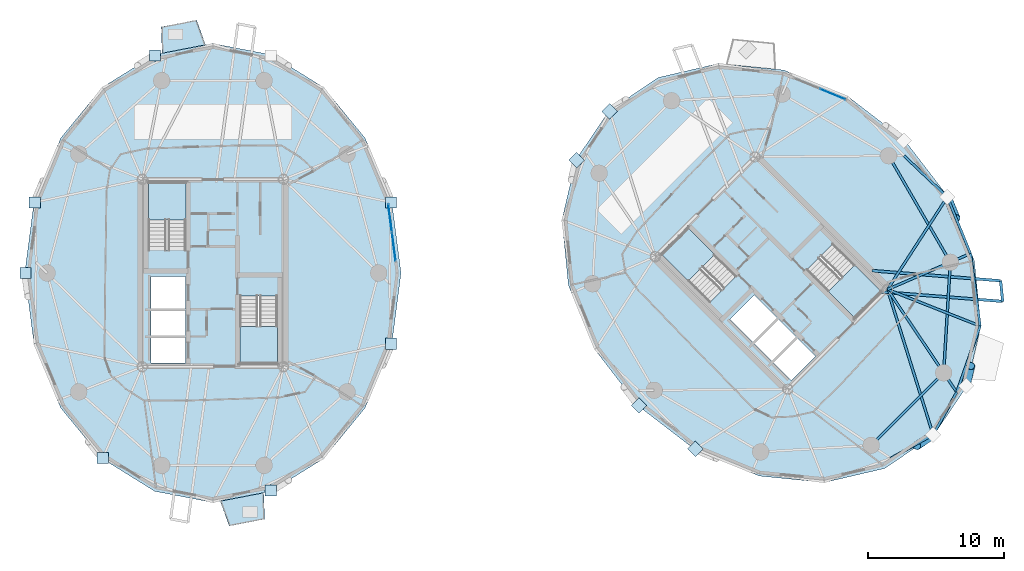
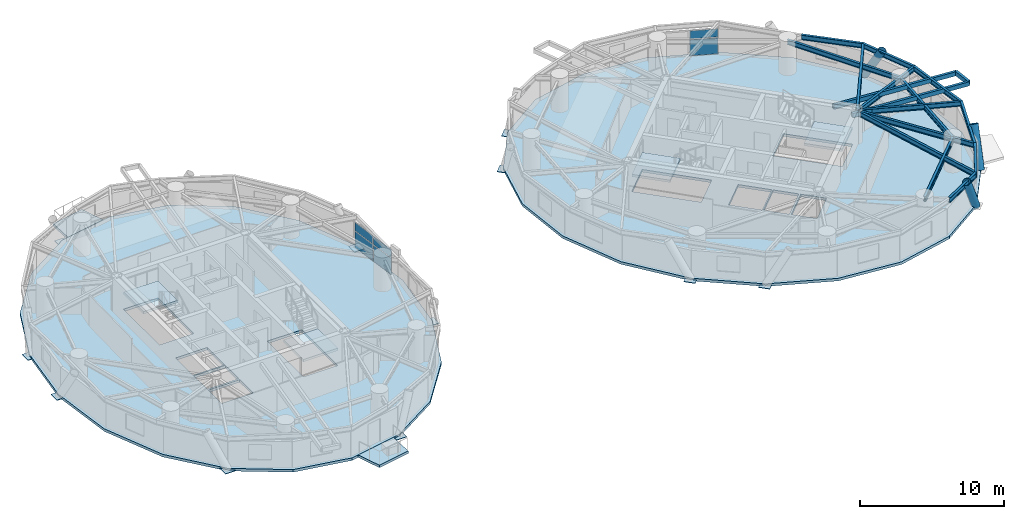
# One storey, part 8 of 17: 17 beams, 17 plates, 8 slabs, 3 members, 6 elements without a shape of their own.
"""IFC4 building model written with IfcOpenShell, lengths in metres."""

import ifcopenshell
import ifcopenshell.guid

model = None  # the IFC model being written
_history = None  # IfcOwnerHistory: only IFC2X3 demands one
_inside = {}  # id of a spatial element -> (the spatial element, [elements in it])
_under = {}  # id of a project, library or spatial element -> (it, [spatial elements below it])
_declared = {}  # id of a project -> (the project, [libraries it declares])
_typed = {}  # id of a type object -> (the type object, [elements of that type])
_made_of = {}  # id of a material, layer set ... -> (it, [elements and type objects made of it])


def new_model(schema):
    """Start an empty IFC model of exactly this schema.

    Asked for "IFC4X3", IfcOpenShell would pick the latest addendum, in which some entities
    have other attributes; the version numbers below select the first issue.
    IFC2X3 requires an IfcOwnerHistory on every rooted entity: one is made here for all.
    """
    global model, _history
    if schema == "IFC4X3":
        model = ifcopenshell.file(schema_version=(4, 3, 0, 0))
    else:
        model = ifcopenshell.file(schema=schema)
    _inside.clear()
    _under.clear()
    _declared.clear()
    _typed.clear()
    _made_of.clear()
    _history = None
    if model.schema == "IFC2X3":
        org = make("IfcOrganization", Name="unknown")
        user = make(
            "IfcPersonAndOrganization",
            ThePerson=make("IfcPerson", FamilyName="unknown"),
            TheOrganization=org,
        )
        app = make(
            "IfcApplication",
            ApplicationDeveloper=org,
            Version="unknown",
            ApplicationFullName="unknown",
            ApplicationIdentifier="unknown",
        )
        _history = make(
            "IfcOwnerHistory",
            OwningUser=user,
            OwningApplication=app,
            ChangeAction="ADDED",
            CreationDate=0,
        )
    return model


def make(cls, **values):
    """One entity of the class cls with the attributes given. An attribute that is None is left unset."""
    return model.create_entity(
        cls, **{name: value for name, value in values.items() if value is not None}
    )


def rooted(cls, **values):
    """An entity with a GlobalId (a new one), such as an element, a storey or a relation."""
    return make(cls, GlobalId=ifcopenshell.guid.new(), OwnerHistory=_history, **values)


def si_unit(unit_type, name, prefix=None):
    """IfcSIUnit, for example si_unit("LENGTHUNIT", "METRE", prefix="MILLI")."""
    return make("IfcSIUnit", UnitType=unit_type, Prefix=prefix, Name=name)


def assignment(units):
    """IfcUnitAssignment: the units of a project."""
    return None if units is None else make("IfcUnitAssignment", Units=units)


def point(xyz):
    """IfcCartesianPoint."""
    return None if xyz is None else make("IfcCartesianPoint", Coordinates=xyz)


def direction(xyz):
    """IfcDirection."""
    return None if xyz is None else make("IfcDirection", DirectionRatios=xyz)


def frame(location, z_axis=None, x_axis=None):
    """IfcAxis2Placement3D, a coordinate frame: its origin and axes. An axis left out is left unset."""
    return make(
        "IfcAxis2Placement3D",
        Location=point(location),
        Axis=direction(z_axis),
        RefDirection=direction(x_axis),
    )


def frame_2d(location, x_axis=None):
    """IfcAxis2Placement2D, a coordinate frame in the plane: its origin and x axis."""
    return make(
        "IfcAxis2Placement2D", Location=point(location), RefDirection=direction(x_axis)
    )


def origin():
    """The frame at (0, 0, 0) with its axes left unset."""
    return frame((0.0, 0.0, 0.0))


def origin_2d():
    """The frame at (0, 0) in the plane with its x axis left unset."""
    return frame_2d((0.0, 0.0))


def place(relative_to, where):
    """IfcLocalPlacement: puts the frame where relative to a parent placement (None: the world)."""
    return make(
        "IfcLocalPlacement", PlacementRelTo=relative_to, RelativePlacement=where
    )


def context(
    kind, dimensions, precision=None, world=None, true_north=None, identifier=None
):
    """IfcGeometricRepresentationContext, for example the 3D "Model" context."""
    return make(
        "IfcGeometricRepresentationContext",
        ContextIdentifier=identifier,
        ContextType=kind,
        CoordinateSpaceDimension=dimensions,
        Precision=precision,
        WorldCoordinateSystem=world,
        TrueNorth=true_north,
    )


def subcontext(parent, identifier, kind, view, scale=None):
    """IfcGeometricRepresentationSubContext, for example "Body" below "Model"."""
    return make(
        "IfcGeometricRepresentationSubContext",
        ContextIdentifier=identifier,
        ContextType=kind,
        ParentContext=parent,
        TargetScale=scale,
        TargetView=view,
    )


def project(units=None, contexts=None):
    """IfcProject with its units and contexts."""
    return rooted(
        "IfcProject",
        Name="project",
        RepresentationContexts=contexts,
        UnitsInContext=assignment(units),
    )


def spatial(cls, under=None, at=None, **own):
    """A site, building, storey or space (cls), placed at a placement, below another one or the project."""
    s = rooted(cls, ObjectPlacement=at, **own)
    if under is not None:
        _under.setdefault(under.id(), (under, []))[1].append(s)
    return s


def polyline(points):
    """IfcPolyline through the points."""
    return make("IfcPolyline", Points=[point(p) for p in points])


def profile(cls, at=None, kind="AREA", **sizes):
    """A parametric profile (cls). Its sizes go by their IFC names, for example OverallWidth=200.0."""
    return make(cls, ProfileType=kind, Position=at, **sizes)


def rectangle(**sizes):
    """IfcRectangleProfileDef."""
    return profile("IfcRectangleProfileDef", **sizes)


def hollow_rectangle(**sizes):
    """IfcRectangleHollowProfileDef."""
    return profile("IfcRectangleHollowProfileDef", **sizes)


def hollow_circle(**sizes):
    """IfcCircleHollowProfileDef."""
    return profile("IfcCircleHollowProfileDef", **sizes)


def i_section(**sizes):
    """IfcIShapeProfileDef."""
    return profile("IfcIShapeProfileDef", **sizes)


def outline(outer, holes=None, kind="AREA"):
    """IfcArbitraryClosedProfileDef: a profile drawn as a closed curve; with holes, ...WithVoids."""
    if holes is None:
        return make("IfcArbitraryClosedProfileDef", ProfileType=kind, OuterCurve=outer)
    return make(
        "IfcArbitraryProfileDefWithVoids",
        ProfileType=kind,
        OuterCurve=outer,
        InnerCurves=holes,
    )


def extrude(swept, where, along, depth):
    """IfcExtrudedAreaSolid: the profile swept, set in the frame where, extruded along a direction by depth."""
    return make(
        "IfcExtrudedAreaSolid",
        SweptArea=swept,
        Position=where,
        ExtrudedDirection=direction(along),
        Depth=depth,
    )


def shape(context_of_items, identifier, shape_type, items):
    """IfcShapeRepresentation: the items that make up one representation, for example the "Body"."""
    return make(
        "IfcShapeRepresentation",
        ContextOfItems=context_of_items,
        RepresentationIdentifier=identifier,
        RepresentationType=shape_type,
        Items=items,
    )


def source(mapping_origin, context_of_items, identifier, shape_type, items):
    """IfcRepresentationMap: a shape defined once, which mapped items show again and again."""
    return make(
        "IfcRepresentationMap",
        MappingOrigin=mapping_origin,
        MappedRepresentation=shape(context_of_items, identifier, shape_type, items),
    )


def transform(
    local_origin,
    x_axis=None,
    y_axis=None,
    z_axis=None,
    scale=None,
    scale2=None,
    scale3=None,
    uniform=True,
):
    """IfcCartesianTransformationOperator3D, or its non-uniform kind. x_axis, y_axis, z_axis: its Axis1, 2, 3."""
    if uniform:
        return make(
            "IfcCartesianTransformationOperator3D",
            Axis1=direction(x_axis),
            Axis2=direction(y_axis),
            LocalOrigin=point(local_origin),
            Scale=scale,
            Axis3=direction(z_axis),
        )
    return make(
        "IfcCartesianTransformationOperator3DnonUniform",
        Axis1=direction(x_axis),
        Axis2=direction(y_axis),
        LocalOrigin=point(local_origin),
        Scale=scale,
        Axis3=direction(z_axis),
        Scale2=scale2,
        Scale3=scale3,
    )


def mapped(mapping_source, mapping_target):
    """IfcMappedItem: shows the shape of a source again, moved by a transform."""
    return make(
        "IfcMappedItem", MappingSource=mapping_source, MappingTarget=mapping_target
    )


def material(Name=None, Category=None):
    """IfcMaterial."""
    return make("IfcMaterial", Name=Name, Category=Category)


def layer(
    of_material, thickness, ventilated=None, Name=None, Category=None, Priority=None
):
    """IfcMaterialLayer: one layer of a wall or slab, of a material (None: an air gap)."""
    return make(
        "IfcMaterialLayer",
        Material=of_material,
        LayerThickness=thickness,
        IsVentilated=ventilated,
        Name=Name,
        Category=Category,
        Priority=Priority,
    )


def layer_set(layers, Name=None):
    """IfcMaterialLayerSet."""
    return make("IfcMaterialLayerSet", MaterialLayers=layers, LayerSetName=Name)


def material_profile(
    of_material, cross_section, Name=None, Category=None, Priority=None
):
    """IfcMaterialProfile: a cross section and its material."""
    return make(
        "IfcMaterialProfile",
        Name=Name,
        Material=of_material,
        Profile=cross_section,
        Priority=Priority,
        Category=Category,
    )


def profile_set(profiles, Name=None, composite=None):
    """IfcMaterialProfileSet."""
    return make(
        "IfcMaterialProfileSet",
        Name=Name,
        MaterialProfiles=profiles,
        CompositeProfile=composite,
    )


def made_of(thing, what):
    """Note that an element or type object is made of a material, layer set ...; save() writes the relation."""
    if what is not None:
        _made_of.setdefault(what.id(), (what, []))[1].append(thing)
    return thing


def type_object(cls, material=None, **own):
    """A type object (cls), such as IfcWallType, which elements share."""
    return made_of(rooted(cls, **own), material)


def element(
    cls,
    number,
    at=None,
    inside=None,
    cuts=None,
    type_object=None,
    material=None,
    context=None,
    identifier="Body",
    shape_type=None,
    held_by="IfcProductDefinitionShape",
    body=None,
    shapes=None,
    **own,
):
    """One element of the class cls, such as IfcWall. Its Tag is "e" and its number.

    at: its placement. inside: the storey or other place that contains it. cuts: it is an
    opening in that element (IfcRelVoidsElement). A single representation is given by context,
    identifier, shape_type and body (its items); several are given by shapes. held_by: the class
    of the entity that holds the representations. save() writes the other relations.
    """
    e = rooted(cls, Tag="e%d" % number, ObjectPlacement=at, **own)
    if body is not None:
        shapes = [shape(context, identifier, shape_type, body)]
    if shapes is not None:
        e.Representation = make(held_by, Representations=shapes)
    if inside is not None:
        _inside.setdefault(inside.id(), (inside, []))[1].append(e)
    if cuts is not None:
        rooted(
            "IfcRelVoidsElement", RelatingBuildingElement=cuts, RelatedOpeningElement=e
        )
    if type_object is not None:
        _typed.setdefault(type_object.id(), (type_object, []))[1].append(e)
    return made_of(e, material)


def aggregate(whole, parts):
    """IfcRelAggregates: a whole, such as a stair, and the parts it consists of."""
    return rooted("IfcRelAggregates", RelatingObject=whole, RelatedObjects=parts)


def save(model, path):
    """Write the relations noted so far, then the file.

    IfcRelAggregates (storeys below a building ...), IfcRelContainedInSpatialStructure (elements
    in a storey), IfcRelDefinesByType, IfcRelAssociatesMaterial and IfcRelDeclares: one each for
    every whole, place, type object, material and project.
    """
    for whole, parts in _under.values():
        aggregate(whole, parts)
    for where, things in _inside.values():
        rooted(
            "IfcRelContainedInSpatialStructure",
            RelatedElements=things,
            RelatingStructure=where,
        )
    for kind, things in _typed.values():
        rooted("IfcRelDefinesByType", RelatedObjects=things, RelatingType=kind)
    for what, things in _made_of.values():
        rooted("IfcRelAssociatesMaterial", RelatedObjects=things, RelatingMaterial=what)
    for by, libraries in _declared.values():
        rooted("IfcRelDeclares", RelatingContext=by, RelatedDefinitions=libraries)
    model.write(path)


model = new_model("IFC4")

# Units and contexts
model_context = context("Model", 3, precision=1e-05, world=origin(), true_north=direction((0.0, 1.0)))
body_context = subcontext(model_context, "Body", "Model", "MODEL_VIEW")
ifc_project = project(units=[si_unit("LENGTHUNIT", "METRE"), si_unit("AREAUNIT", "SQUARE_METRE"), si_unit("VOLUMEUNIT", "CUBIC_METRE"), si_unit("PLANEANGLEUNIT", "RADIAN"), si_unit("MASSUNIT", "GRAM", prefix="KILO")], contexts=[model_context])

# Site, building, storey
site_placement = place(None, origin())
site = spatial("IfcSite", under=ifc_project, at=site_placement, CompositionType="ELEMENT")
building_placement = place(site_placement, origin())
building = spatial("IfcBuilding", under=site, at=building_placement, Name="Cununo Teusaquillo Station Towers", CompositionType="ELEMENT")
storey_placement = place(building_placement, frame((0.0, 0.0, 186.52001953125)))
storey = spatial("IfcBuildingStorey", under=building, at=storey_placement, Name="L59", CompositionType="ELEMENT", Elevation=186.52001953125)

# Beams
ifc_material_1 = material(Name="Steel EN 10025-2 S355J2", Category="steel")
ifc_material_profile_1 = material_profile(ifc_material_1, hollow_rectangle(XDim=0.199951171875, YDim=0.35009765625, WallThickness=0.013916015625, at=origin_2d()), Name="RHS 350x200x14")
ifc_profile_set_1 = profile_set([ifc_material_profile_1], Name="Steel EN 10025-2 S355J2")
beam_type_1 = type_object("IfcBeamType", Name="BM-BAL-CANT", PredefinedType="BEAM", material=ifc_profile_set_1)
beam_1_placement = place(storey_placement, frame((65.52392578125, 23.119384765625, 2.514892578125), z_axis=(0.996935259879, -0.078230988808, 0.0), x_axis=(0.078230988808, 0.996935259879, 0.0)))
element("IfcBeam", 1, at=beam_1_placement, inside=storey, type_object=beam_type_1, Name="L59 Tower B Balcony Cantilever Bracket 2A", PredefinedType="BEAM", context=body_context, shape_type="SweptSolid", body=[
    extrude(hollow_rectangle(XDim=0.199951171875, YDim=0.35009765625, WallThickness=0.013916015625, at=origin_2d()), origin(), (0.0, 0.0, 1.0), 8.978515625),
])
beam_2_placement = place(storey_placement, frame((64.895751953125, 24.670166015625, 2.514892578125), z_axis=(0.996934707517, -0.07823802751, 0.0), x_axis=(0.07823802751, 0.996934707517, 0.0)))
element("IfcBeam", 2, at=beam_2_placement, inside=storey, type_object=beam_type_1, Name="L59 Tower B Balcony Cantilever Bracket 2B", PredefinedType="BEAM", context=body_context, shape_type="SweptSolid", body=[
    extrude(hollow_rectangle(XDim=0.199951171875, YDim=0.35009765625, WallThickness=0.013916015625, at=origin_2d()), origin(), (0.0, 0.0, 1.0), 9.458251953125),
])
ifc_material_2 = material(Name="Steel ASTM A572 Grade 50", Category="steel")
ifc_material_profile_2 = material_profile(ifc_material_2, i_section(OverallWidth=0.180908203125, OverallDepth=0.4169921875, WebThickness=0.010986328125, FlangeThickness=0.018310546875, FilletRadius=0.012939453125, at=origin_2d()), Name="W16X57")
ifc_profile_set_2 = profile_set([ifc_material_profile_2], Name="Steel ASTM A572 Grade 50")
beam_type_2 = type_object("IfcBeamType", Name="BM-JOIST-1", PredefinedType="JOIST", material=ifc_profile_set_2)
beam_3_placement = place(storey_placement, frame((66.024169921875, 23.29443359375, 2.4814453125), z_axis=(0.29947962656, -0.954102695351, 0.0), x_axis=(0.954102695351, 0.29947962656, 0.0)))
element("IfcBeam", 3, at=beam_3_placement, inside=storey, type_object=beam_type_2, Name="L59 Tower B Radial Spandrel Joist V15", PredefinedType="JOIST", context=body_context, shape_type="SweptSolid", body=[
    extrude(i_section(OverallWidth=0.180908203125, OverallDepth=0.4169921875, WebThickness=0.010986328125, FlangeThickness=0.018310546875, FilletRadius=0.012939453125, at=origin_2d()), origin(), (0.0, 0.0, 1.0), 11.179931640625),
])
beam_4_placement = place(storey_placement, frame((66.024169921875, 23.29443359375, 2.4814453125), z_axis=(0.93009004426, -0.367331607091, 0.0), x_axis=(0.367331607091, 0.93009004426, 0.0)))
element("IfcBeam", 4, at=beam_4_placement, inside=storey, type_object=beam_type_2, Name="L59 Tower B Radial Spandrel Joist V17", PredefinedType="JOIST", context=body_context, shape_type="SweptSolid", body=[
    extrude(i_section(OverallWidth=0.180908203125, OverallDepth=0.4169921875, WebThickness=0.010986328125, FlangeThickness=0.018310546875, FilletRadius=0.012939453125, at=origin_2d()), origin(), (0.0, 0.0, 1.0), 7.306884765625),
])
beam_5_placement = place(storey_placement, frame((66.024169921875, 23.29443359375, 2.4814453125), z_axis=(0.543440395394, 0.839447756954, 0.0), x_axis=(-0.839447756954, 0.543440395394, 0.0)))
element("IfcBeam", 5, at=beam_5_placement, inside=storey, type_object=beam_type_2, Name="L59 Tower B Radial Spandrel Joist V19", PredefinedType="JOIST", context=body_context, shape_type="SweptSolid", body=[
    extrude(i_section(OverallWidth=0.180908203125, OverallDepth=0.4169921875, WebThickness=0.010986328125, FlangeThickness=0.018310546875, FilletRadius=0.012939453125, at=origin_2d()), origin(), (0.0, 0.0, 1.0), 8.08203125),
])
ifc_material_3 = material(Name="Steel ASTM A572 Grade 50", Category="steel")
ifc_material_profile_3 = material_profile(ifc_material_3, i_section(OverallWidth=0.180908203125, OverallDepth=0.4169921875, WebThickness=0.010986328125, FlangeThickness=0.018310546875, FilletRadius=0.012939453125, at=origin_2d()), Name="W16X57")
ifc_profile_set_3 = profile_set([ifc_material_profile_3], Name="Steel ASTM A572 Grade 50")
beam_type_3 = type_object("IfcBeamType", Name="BM-RAD-G2", PredefinedType="BEAM", material=ifc_profile_set_3)
beam_6_placement = place(storey_placement, frame((66.024169921875, 23.29443359375, 2.4814453125), z_axis=(0.558570989907, -0.829456719326, 0.0), x_axis=(0.829456719326, 0.558570989907, 0.0)))
element("IfcBeam", 6, at=beam_6_placement, inside=storey, type_object=beam_type_3, Name="L59 Tower B Continuous Overhanging Radial Girder 09", PredefinedType="BEAM", context=body_context, shape_type="SweptSolid", body=[
    extrude(i_section(OverallWidth=0.180908203125, OverallDepth=0.4169921875, WebThickness=0.010986328125, FlangeThickness=0.018310546875, FilletRadius=0.012939453125, at=origin_2d()), origin(), (0.0, 0.0, 1.0), 9.097412109375),
])
beam_7_placement = place(storey_placement, frame((66.024169921875, 23.29443359375, 2.4814453125), z_axis=(0.917664823247, 0.397355347486, 0.0), x_axis=(-0.397355347486, 0.917664823247, 0.0)))
element("IfcBeam", 7, at=beam_7_placement, inside=storey, type_object=beam_type_3, Name="L59 Tower B Continuous Overhanging Radial Girder 10", PredefinedType="BEAM", context=body_context, shape_type="SweptSolid", body=[
    extrude(i_section(OverallWidth=0.180908203125, OverallDepth=0.4169921875, WebThickness=0.010986328125, FlangeThickness=0.018310546875, FilletRadius=0.012939453125, at=origin_2d()), origin(), (0.0, 0.0, 1.0), 6.632080078125),
])
ifc_material_4 = material(Name="Steel ASTM A572 Grade 50", Category="steel")
ifc_material_profile_4 = material_profile(ifc_material_4, i_section(OverallWidth=0.180908203125, OverallDepth=0.4169921875, WebThickness=0.010986328125, FlangeThickness=0.018310546875, FilletRadius=0.012939453125, at=origin_2d()), Name="W16X57")
ifc_profile_set_4 = profile_set([ifc_material_profile_4], Name="Steel ASTM A572 Grade 50")
beam_type_4 = type_object("IfcBeamType", Name="BM-RING-Z3", PredefinedType="SPANDREL", material=ifc_profile_set_4)
beam_8_placement = place(storey_placement, frame((64.826904296875, 11.853759765625, 2.4814453125), z_axis=(0.707106781187, 0.707106781187, 0.0), x_axis=(-0.707106781187, 0.707106781187, 0.0)))
element("IfcBeam", 8, at=beam_8_placement, inside=storey, type_object=beam_type_4, Name="L59 Tower B Structural Column Ring Girder 08", PredefinedType="SPANDREL", context=body_context, shape_type="SweptSolid", body=[
    extrude(i_section(OverallWidth=0.180908203125, OverallDepth=0.4169921875, WebThickness=0.010986328125, FlangeThickness=0.018310546875, FilletRadius=0.012939453125, at=origin_2d()), origin(), (0.0, 0.0, 1.0), 7.522705078125),
])
beam_9_placement = place(storey_placement, frame((70.146240234375, 17.173095703125, 2.4814453125), z_axis=(0.06012979176, 0.998190567048, 0.0), x_axis=(-0.998190567048, 0.06012979176, 0.0)))
element("IfcBeam", 9, at=beam_9_placement, inside=storey, type_object=beam_type_4, Name="L59 Tower B Structural Column Ring Girder 09", PredefinedType="SPANDREL", context=body_context, shape_type="SweptSolid", body=[
    extrude(i_section(OverallWidth=0.180908203125, OverallDepth=0.4169921875, WebThickness=0.010986328125, FlangeThickness=0.018310546875, FilletRadius=0.012939453125, at=origin_2d()), origin(), (0.0, 0.0, 1.0), 8.132568359375),
])
beam_10_placement = place(storey_placement, frame((70.63525390625, 25.291015625, 2.4814453125), z_axis=(-0.501311121078, 0.865267103202, 0.0), x_axis=(-0.865267103202, -0.501311121078, 0.0)))
element("IfcBeam", 10, at=beam_10_placement, inside=storey, type_object=beam_type_4, Name="L59 Tower B Structural Column Ring Girder 10", PredefinedType="SPANDREL", context=body_context, shape_type="SweptSolid", body=[
    extrude(i_section(OverallWidth=0.180908203125, OverallDepth=0.4169921875, WebThickness=0.010986328125, FlangeThickness=0.018310546875, FilletRadius=0.012939453125, at=origin_2d()), origin(), (0.0, 0.0, 1.0), 9.032958984375),
])
for number, where, z_axis, x_axis, name in (
    (11, (66.25146484375, 10.894287109375, 2.4814453125), (0.874205659621, 0.485555830659, 0.0), (-0.485555830659, 0.874205659621, 0.0), "L59 Tower B Spandrel Ring Beam 15"),
    (12, (69.372314453125, 12.627685546875, 2.4814453125), (0.485555830659, 0.874205659621, 0.0), (-0.874205659621, 0.485555830659, 0.0), "L59 Tower B Spandrel Ring Beam 16"),
):
    element("IfcBeam", number, at=place(storey_placement, frame(where, z_axis=z_axis, x_axis=x_axis)), inside=storey, type_object=beam_type_4, Name=name, PredefinedType="SPANDREL", context=body_context, shape_type="SweptSolid", body=[
        extrude(i_section(OverallWidth=0.180908203125, OverallDepth=0.4169921875, WebThickness=0.010986328125, FlangeThickness=0.018310546875, FilletRadius=0.012939453125, at=origin_2d()), origin(), (0.0, 0.0, 1.0), 3.56982421875),
    ])
beam_11_placement = place(storey_placement, frame((71.105712890625, 15.74853515625, 2.4814453125), z_axis=(0.332589733158, 0.943071614141, 0.0), x_axis=(-0.943071614141, 0.332589733158, 0.0)))
element("IfcBeam", 13, at=beam_11_placement, inside=storey, type_object=beam_type_4, Name="L59 Tower B Spandrel Ring Beam 17", PredefinedType="SPANDREL", context=body_context, shape_type="SweptSolid", body=[
    extrude(i_section(OverallWidth=0.180908203125, OverallDepth=0.4169921875, WebThickness=0.010986328125, FlangeThickness=0.018310546875, FilletRadius=0.012939453125, at=origin_2d()), origin(), (0.0, 0.0, 1.0), 5.1552734375),
])
beam_12_placement = place(storey_placement, frame((72.8203125, 20.6103515625, 2.4814453125), z_axis=(-0.132339532096, 0.991204443213, 0.0), x_axis=(-0.991204443213, -0.132339532096, 0.0)))
element("IfcBeam", 14, at=beam_12_placement, inside=storey, type_object=beam_type_4, Name="L59 Tower B Spandrel Ring Beam 18", PredefinedType="SPANDREL", context=body_context, shape_type="SweptSolid", body=[
    extrude(i_section(OverallWidth=0.180908203125, OverallDepth=0.4169921875, WebThickness=0.010986328125, FlangeThickness=0.018310546875, FilletRadius=0.012939453125, at=origin_2d()), origin(), (0.0, 0.0, 1.0), 5.366455078125),
])
beam_13_placement = place(storey_placement, frame((72.110107421875, 25.9296875, 2.4814453125), z_axis=(-0.377956082264, 0.925823525235, 0.0), x_axis=(-0.925823525235, -0.377956082264, 0.0)))
element("IfcBeam", 15, at=beam_13_placement, inside=storey, type_object=beam_type_4, Name="L59 Tower B Spandrel Ring Beam 19", PredefinedType="SPANDREL", context=body_context, shape_type="SweptSolid", body=[
    extrude(i_section(OverallWidth=0.180908203125, OverallDepth=0.4169921875, WebThickness=0.010986328125, FlangeThickness=0.018310546875, FilletRadius=0.012939453125, at=origin_2d()), origin(), (0.0, 0.0, 1.0), 4.481689453125),
])
beam_14_placement = place(storey_placement, frame((70.416259765625, 30.078857421875, 2.4814453125), z_axis=(-0.723501643849, 0.690322657421, 0.0), x_axis=(-0.690322657421, -0.723501643849, 0.0)))
element("IfcBeam", 16, at=beam_14_placement, inside=storey, type_object=beam_type_4, Name="L59 Tower B Spandrel Ring Beam 20", PredefinedType="SPANDREL", context=body_context, shape_type="SweptSolid", body=[
    extrude(i_section(OverallWidth=0.180908203125, OverallDepth=0.4169921875, WebThickness=0.010986328125, FlangeThickness=0.018310546875, FilletRadius=0.012939453125, at=origin_2d()), origin(), (0.0, 0.0, 1.0), 4.400146484375),
])
ifc_material_5 = material(Name="Steel EN 10025-2 S355J2", Category="steel")
ifc_material_profile_5 = material_profile(ifc_material_5, hollow_rectangle(XDim=0.199951171875, YDim=0.35009765625, WallThickness=0.013916015625, at=origin_2d()), Name="RHS 350x200x14")
ifc_profile_set_5 = profile_set([ifc_material_profile_5], Name="Steel EN 10025-2 S355J2")
beam_type_5 = type_object("IfcBeamType", Name="BM-STAIR-TRIM", PredefinedType="BEAM", material=ifc_profile_set_5)
beam_15_placement = place(storey_placement, frame((74.474853515625, 22.4169921875, 2.52490234375), z_axis=(-0.098581668887, 0.995128963783, 0.0), x_axis=(-0.995128963783, -0.098581668887, 0.0)))
element("IfcBeam", 17, at=beam_15_placement, inside=storey, type_object=beam_type_5, Name="L59 Tower B Balcony Edge Trimmer Beam 2", PredefinedType="BEAM", context=body_context, shape_type="SweptSolid", body=[
    extrude(hollow_rectangle(XDim=0.199951171875, YDim=0.35009765625, WallThickness=0.013916015625, at=origin_2d()), origin(), (0.0, 0.0, 1.0), 1.5205078125),
])

# Members
ifc_material_6 = material(Name="Steel EN 10025-2 S355J2", Category="steel")
ifc_material_profile_6 = material_profile(ifc_material_6, hollow_circle(Radius=0.304931640625, WallThickness=0.02001953125, at=origin_2d()), Name="CHS 610x20")
ifc_profile_set_6 = profile_set([ifc_material_profile_6], Name="Steel EN 10025-2 S355J2")
member_type = type_object("IfcMemberType", Name="MBR-DIAG-Z3", PredefinedType="BRACE", material=ifc_profile_set_6)
member_1_placement = place(storey_placement, frame((69.372314453125, 12.627685546875, -0.14013671875), z_axis=(-0.367998933543, -0.248714965501, 0.895945115979), x_axis=(0.559961028799, -0.828518947416, 0.0)))
element("IfcMember", 18, at=member_1_placement, inside=storey, type_object=member_type, Name="L59 Tower B Folded-Zigzag Diagrid Tube C14", PredefinedType="BRACE", context=body_context, shape_type="SweptSolid", body=[
    extrude(hollow_circle(Radius=0.304931640625, WallThickness=0.02001953125, at=origin_2d()), origin(), (0.0, 0.0, 1.0), 3.248046875),
])
member_2_placement = place(storey_placement, frame((71.7958984375, 16.21337890625, -0.14013671875), z_axis=(0.104175068617, 0.447401367651, 0.888245220253), x_axis=(-0.973946400459, 0.226778325756, 0.0)))
element("IfcMember", 19, at=member_2_placement, inside=storey, type_object=member_type, Name="L59 Tower B Folded-Zigzag Diagrid Tube C16", PredefinedType="BRACE", context=body_context, shape_type="SweptSolid", body=[
    extrude(hollow_circle(Radius=0.304931640625, WallThickness=0.02001953125, at=origin_2d()), origin(), (0.0, 0.0, 1.0), 3.2763671875),
])
member_3_placement = place(storey_placement, frame((70.416259765625, 30.078857421875, -0.14013671875), z_axis=(0.190996227853, -0.464614826965, 0.864669592104), x_axis=(0.924899245818, 0.380212289499, 0.0)))
element("IfcMember", 20, at=member_3_placement, inside=storey, type_object=member_type, Name="L59 Tower B Folded-Zigzag Diagrid Tube C18", PredefinedType="BRACE", context=body_context, shape_type="SweptSolid", body=[
    extrude(hollow_circle(Radius=0.304931640625, WallThickness=0.02001953125, at=origin_2d()), origin(), (0.0, 0.0, 1.0), 3.36572265625),
])

# Slabs
ifc_material_7 = material(Name="Concrete C50/60", Category="concrete")
ifc_layer_1 = layer(ifc_material_7, 0.2099609375)
ifc_layer_set_1 = layer_set([ifc_layer_1], Name="Concrete C50/60")
slab_type_1 = type_object("IfcSlabType", Name="SLB-BAL-210", PredefinedType="FLOOR", material=ifc_layer_set_1)
slab_1_placement = place(storey_placement, frame((0.0, 0.0, -0.2099609375)))
element("IfcSlab", 21, at=slab_1_placement, inside=storey, type_object=slab_type_1, Name="L59 Tower A Tree Balcony Slab 1", PredefinedType="FLOOR", context=body_context, shape_type="SweptSolid", body=[
    extrude(outline(polyline([(15.958984375, 41.25048828125), (12.771240234375, 40.634521484375), (12.702392578125, 42.57177734375), (15.30126953125, 43.073974609375), (15.958984375, 41.25048828125)])), origin(), (0.0, 0.0, 1.0), 0.2099609375),
])
slab_2_placement = place(storey_placement, frame((0.0, 0.0, -0.2099609375)))
element("IfcSlab", 22, at=slab_2_placement, inside=storey, type_object=slab_type_1, Name="L59 Tower A Tree Balcony Slab 2", PredefinedType="FLOOR", context=body_context, shape_type="SweptSolid", body=[
    extrude(outline(polyline([(17.041015625, 7.74951171875), (20.228759765625, 8.365478515625), (20.297607421875, 6.42822265625), (17.69873046875, 5.926025390625), (17.041015625, 7.74951171875)])), origin(), (0.0, 0.0, 1.0), 0.2099609375),
])

# Stair, slab
ifc_material_8 = material(Name="Concrete C50/60", Category="concrete")
stair_type = type_object("IfcStairType", Name="ST-TWR-1300", PredefinedType="HALF_TURN_STAIR", material=ifc_material_8)
stair_1_placement = place(storey_placement, origin())
stair_1 = element("IfcStair", 23, at=stair_1_placement, inside=storey, type_object=stair_type, Name="L59 Tower A Protected Core Exit Stair 1", PredefinedType="HALF_TURN_STAIR")
ifc_material_9 = material(Name="Concrete C50/60", Category="concrete")
ifc_layer_2 = layer(ifc_material_9, 0.199951171875)
ifc_layer_set_2 = layer_set([ifc_layer_2], Name="Concrete C50/60")
slab_type_2 = type_object("IfcSlabType", Name="SLB-STAIR-LND", PredefinedType="LANDING", material=ifc_layer_set_2)
slab_3_placement = place(storey_placement, frame((0.0, 0.0, 1.2548828125)))
slab_3 = element("IfcSlab", 24, at=slab_3_placement, type_object=slab_type_2, Name="ST-T1-1 landing 1", PredefinedType="LANDING", context=body_context, shape_type="SweptSolid", body=[
    extrude(outline(polyline([(14.52001953125, 28.409912109375), (14.52001953125, 31.159912109375), (11.760009765625, 31.159912109375), (11.760009765625, 28.409912109375), (14.52001953125, 28.409912109375)])), origin(), (0.0, 0.0, 1.0), 0.2001953125),
])
aggregate(stair_1, [slab_3])

stair_2_placement = place(storey_placement, origin())
stair_2 = element("IfcStair", 25, at=stair_2_placement, inside=storey, type_object=stair_type, Name="L59 Tower A Protected Core Exit Stair 2", PredefinedType="HALF_TURN_STAIR")
slab_4_placement = place(storey_placement, frame((0.0, 0.0, 1.2548828125)))
slab_4 = element("IfcSlab", 26, at=slab_4_placement, type_object=slab_type_2, Name="ST-T1-2 landing 1", PredefinedType="LANDING", context=body_context, shape_type="SweptSolid", body=[
    extrude(outline(polyline([(18.47998046875, 20.590087890625), (18.47998046875, 17.840087890625), (21.239990234375, 17.840087890625), (21.239990234375, 20.590087890625), (18.47998046875, 20.590087890625)])), origin(), (0.0, 0.0, 1.0), 0.2001953125),
])
aggregate(stair_2, [slab_4])

stair_3_placement = place(storey_placement, origin())
stair_3 = element("IfcStair", 27, at=stair_3_placement, inside=storey, type_object=stair_type, Name="L59 Tower B Protected Core Exit Stair 1", PredefinedType="HALF_TURN_STAIR")
slab_5_placement = place(storey_placement, frame((0.0, 0.0, 1.2548828125)))
slab_5 = element("IfcSlab", 28, at=slab_5_placement, type_object=slab_type_2, Name="ST-T2-1 landing 1", PredefinedType="LANDING", context=body_context, shape_type="SweptSolid", body=[
    extrude(outline(polyline([(53.335205078125, 25.86474609375), (51.390625, 27.809326171875), (49.43896484375, 25.857666015625), (51.383544921875, 23.9130859375), (53.335205078125, 25.86474609375)])), origin(), (0.0, 0.0, 1.0), 0.2001953125),
])
aggregate(stair_3, [slab_5])

stair_4_placement = place(storey_placement, origin())
stair_4 = element("IfcStair", 29, at=stair_4_placement, inside=storey, type_object=stair_type, Name="L59 Tower B Protected Core Exit Stair 2", PredefinedType="HALF_TURN_STAIR")
slab_6_placement = place(storey_placement, frame((0.0, 0.0, 1.2548828125)))
slab_6 = element("IfcSlab", 30, at=slab_6_placement, type_object=slab_type_2, Name="ST-T2-2 landing 1", PredefinedType="LANDING", context=body_context, shape_type="SweptSolid", body=[
    extrude(outline(polyline([(61.664794921875, 23.13525390625), (63.609375, 21.190673828125), (65.56103515625, 23.142333984375), (63.616455078125, 25.0869140625), (61.664794921875, 23.13525390625)])), origin(), (0.0, 0.0, 1.0), 0.2001953125),
])
aggregate(stair_4, [slab_6])

# Slabs
ifc_material_10 = material(Name="Concrete C40/50", Category="concrete")
ifc_layer_3 = layer(ifc_material_10, 0.219970703125)
ifc_layer_set_3 = layer_set([ifc_layer_3], Name="Concrete C40/50")
slab_type_3 = type_object("IfcSlabType", Name="SLB-Z3-220", PredefinedType="FLOOR", material=ifc_layer_set_3)
slab_7_placement = place(storey_placement, frame((0.0, 0.0, -0.219970703125)))
element("IfcSlab", 31, at=slab_7_placement, inside=storey, type_object=slab_type_3, Name="L59 Tower A Floor Slab", PredefinedType="FLOOR", context=body_context, shape_type="SweptSolid", body=[
    extrude(outline(polyline([(30.31103515625, 24.5), (29.635009765625, 29.706787109375), (27.67333984375, 34.404296875), (24.617919921875, 38.1318359375), (20.767822265625, 40.525390625), (16.5, 41.35009765625), (12.232177734375, 40.525390625), (8.382080078125, 38.1318359375), (5.32666015625, 34.404296875), (3.364990234375, 29.706787109375), (2.68896484375, 24.5), (3.364990234375, 19.293212890625), (5.32666015625, 14.595703125), (8.382080078125, 10.8681640625), (12.232177734375, 8.474609375), (16.5, 7.64990234375), (20.767822265625, 8.474609375), (24.617919921875, 10.8681640625), (27.67333984375, 14.595703125), (29.635009765625, 19.293212890625), (30.31103515625, 24.5)]), holes=[polyline([(14.52001953125, 26.176025390625), (14.52001953125, 31.159912109375), (11.760009765625, 31.159912109375), (11.760009765625, 26.176025390625), (14.52001953125, 26.176025390625)]), polyline([(18.47998046875, 22.823974609375), (18.47998046875, 17.840087890625), (21.239990234375, 17.840087890625), (21.239990234375, 22.823974609375), (18.47998046875, 22.823974609375)]), polyline([(11.949951171875, 21.85009765625), (14.47998046875, 21.85009765625), (14.47998046875, 24.25), (11.949951171875, 24.25), (11.949951171875, 21.85009765625)]), polyline([(11.949951171875, 17.89990234375), (14.47998046875, 17.89990234375), (14.47998046875, 19.75), (11.949951171875, 19.75), (11.949951171875, 17.89990234375)]), polyline([(11.949951171875, 19.89990234375), (14.47998046875, 19.89990234375), (14.47998046875, 21.75), (11.949951171875, 21.75), (11.949951171875, 19.89990234375)])]), origin(), (0.0, 0.0, 1.0), 0.219970703125),
])
slab_8_placement = place(storey_placement, frame((0.0, 0.0, -0.219970703125)))
element("IfcSlab", 32, at=slab_8_placement, inside=storey, type_object=slab_type_3, Name="L59 Tower B Floor Slab", PredefinedType="FLOOR", context=body_context, shape_type="SweptSolid", body=[
    extrude(outline(polyline([(67.265869140625, 34.265869140625), (63.10595703125, 37.4697265625), (58.3974609375, 39.404052734375), (53.60107421875, 39.87939453125), (49.186279296875, 38.849365234375), (45.585205078125, 36.414794921875), (43.150634765625, 32.813720703125), (42.12060546875, 28.39892578125), (42.595947265625, 23.6025390625), (44.5302734375, 18.89404296875), (47.734130859375, 14.734130859375), (51.89404296875, 11.5302734375), (56.6025390625, 9.595947265625), (61.39892578125, 9.12060546875), (65.813720703125, 10.150634765625), (69.414794921875, 12.585205078125), (71.849365234375, 16.186279296875), (72.87939453125, 20.60107421875), (72.404052734375, 25.3974609375), (70.4697265625, 30.10595703125), (67.265869140625, 34.265869140625)]), holes=[polyline([(54.914794921875, 24.28515625), (51.390625, 27.809326171875), (49.43896484375, 25.857666015625), (52.963134765625, 22.33349609375), (54.914794921875, 24.28515625)]), polyline([(60.085205078125, 24.71484375), (63.609375, 21.190673828125), (65.56103515625, 23.142333984375), (62.036865234375, 26.66650390625), (60.085205078125, 24.71484375)]), polyline([(56.156494140625, 19.40869140625), (57.945556640625, 21.19775390625), (56.248291015625, 22.89501953125), (54.45947265625, 21.10595703125), (56.156494140625, 19.40869140625)]), polyline([(58.94970703125, 16.61572265625), (60.738525390625, 18.40478515625), (59.430419921875, 19.712890625), (57.641357421875, 17.923828125), (58.94970703125, 16.61572265625)]), polyline([(57.535400390625, 18.030029296875), (59.32421875, 19.819091796875), (58.01611328125, 21.127197265625), (56.227294921875, 19.338134765625), (57.535400390625, 18.030029296875)])]), origin(), (0.0, 0.0, 1.0), 0.219970703125),
])

# Plates
ifc_material_11 = material(Name="Steel ASTM A572 Grade 50", Category="steel")
ifc_layer_4 = layer(ifc_material_11, 0.044921875)
ifc_layer_set_4 = layer_set([ifc_layer_4], Name="Steel ASTM A572 Grade 50")
plate_type_1 = type_object("IfcPlateType", Name="PLT-NODE-DN2", PredefinedType="USERDEFINED", material=ifc_layer_set_4)
shared_shape_1 = source(origin(), body_context, "Body", "SweptSolid", [
    extrude(rectangle(XDim=0.820068359375, YDim=0.820068359375, at=origin_2d()), origin(), (0.0, 0.0, 1.0), 0.044921875),
])
for number, where, z_axis, x_axis, name in (
    (33, (29.577880859375, 29.6884765625, -0.16259765625), (0.0, 0.0, 1.0), (1.0, 0.0, 0.0), "L59 Tower A Diagrid Node Assembly C01"),
    (34, (12.250732421875, 40.46826171875, -0.16259765625), (0.0, 0.0, 1.0), (1.0, 0.0, 0.0), "L59 Tower A Diagrid Node Assembly C06"),
    (35, (3.422119140625, 29.6884765625, -0.16259765625), (0.0, 0.0, 1.0), (1.0, 0.0, 0.0), "L59 Tower A Diagrid Node Assembly C08"),
    (36, (2.7490234375, 24.5, -0.16259765625), (0.0, 0.0, 1.0), (1.0, 0.0, 0.0), "L59 Tower A Diagrid Node Assembly C10"),
    (37, (8.41748046875, 10.91650390625, -0.16259765625), (0.0, 0.0, 1.0), (1.0, 0.0, 0.0), "L59 Tower A Diagrid Node Assembly C12"),
    (38, (20.749267578125, 8.53173828125, -0.16259765625), (0.0, 0.0, 1.0), (1.0, 0.0, 0.0), "L59 Tower A Diagrid Node Assembly C16"),
    (39, (29.577880859375, 19.3115234375, -0.16259765625), (0.0, 0.0, 1.0), (1.0, 0.0, 0.0), "L59 Tower A Diagrid Node Assembly C18"),
    (40, (45.627685546875, 36.372314453125, -0.16259765625), (0.0, 0.0, 1.0), (0.707106781187, 0.707106781187, 0.0), "L59 Tower B Diagrid Node Assembly C04"),
    (41, (43.2041015625, 32.78662109375, -0.16259765625), (0.0, 0.0, 1.0), (0.707106781187, 0.707106781187, 0.0), "L59 Tower B Diagrid Node Assembly C06"),
    (42, (47.776611328125, 14.776611328125, -0.16259765625), (0.0, 0.0, 1.0), (0.707106781187, 0.707106781187, 0.0), "L59 Tower B Diagrid Node Assembly C09"),
    (43, (51.921142578125, 11.583740234375, -0.16259765625), (0.0, 0.0, 1.0), (0.707106781187, 0.707106781187, 0.0), "L59 Tower B Diagrid Node Assembly C11"),
):
    element("IfcPlate", number, at=place(storey_placement, frame(where, z_axis=z_axis, x_axis=x_axis)), inside=storey, type_object=plate_type_1, Name=name, ObjectType="GUSSET PLATE", PredefinedType="USERDEFINED", context=body_context, shape_type="MappedRepresentation", body=[
        mapped(shared_shape_1, transform((0.0, 0.0, 0.0), x_axis=(1.0, 0.0, 0.0), y_axis=(0.0, 1.0, 0.0), z_axis=(0.0, 0.0, 1.0), scale=1.0)),
    ])

# Curtain wall, plates
ifc_material_12 = material(Name="Operable acoustic tinted low-E double glazing", Category="glass")
ifc_layer_5 = layer(ifc_material_12, 0.179931640625)
ifc_layer_set_5 = layer_set([ifc_layer_5], Name="Operable acoustic tinted low-E double glazing")
curtain_wall_type = type_object("IfcCurtainWallType", Name="CW-SYS-06", PredefinedType="USERDEFINED", material=ifc_layer_set_5)
curtain_wall_1_placement = place(storey_placement, origin())
curtain_wall_1 = element("IfcCurtainWall", 44, at=curtain_wall_1_placement, inside=storey, type_object=curtain_wall_type, Name="L59 Tower A Facade Curtain Wall C00", ObjectType="OPERABLE GLAZING", PredefinedType="USERDEFINED")
ifc_material_13 = material(Name="Operable acoustic tinted low-E double glazing", Category="glass")
ifc_layer_6 = layer(ifc_material_13, 0.031982421875)
ifc_layer_set_6 = layer_set([ifc_layer_6], Name="Operable acoustic tinted low-E double glazing")
plate_type_2 = type_object("IfcPlateType", Name="CWP-OPER-32", PredefinedType="CURTAIN_PANEL", material=ifc_layer_set_6)
shared_shape_2 = source(origin(), body_context, "Body", "SweptSolid", [
    extrude(rectangle(XDim=2.05908203125, YDim=0.031982421875, at=origin_2d()), origin(), (0.0, 0.0, 1.0), 1.361572265625),
])
plate_1_placement = place(storey_placement, frame((29.509033203125, 28.534912109375, 0.06494140625), z_axis=(0.0, 0.0, 1.0), x_axis=(0.128285462927, -0.991737283761, 0.0)))
plate_1 = element("IfcPlate", 45, at=plate_1_placement, type_object=plate_type_2, Name="CW-06 panel 1.1", PredefinedType="CURTAIN_PANEL", context=body_context, shape_type="MappedRepresentation", body=[
    mapped(shared_shape_2, transform((0.0, 0.0, 0.0), x_axis=(1.0, 0.0, 0.0), y_axis=(0.0, 1.0, 0.0), z_axis=(0.0, 0.0, 1.0), scale=1.0)),
])
plate_2_placement = place(storey_placement, frame((29.781494140625, 26.428466796875, 0.06494140625), z_axis=(0.0, 0.0, 1.0), x_axis=(0.128285462927, -0.991737283761, 0.0)))
plate_2 = element("IfcPlate", 46, at=plate_2_placement, type_object=plate_type_2, Name="CW-06 panel 2.1", PredefinedType="CURTAIN_PANEL", context=body_context, shape_type="MappedRepresentation", body=[
    mapped(shared_shape_2, transform((0.0, 0.0, 0.0), x_axis=(1.0, 0.0, 0.0), y_axis=(0.0, 1.0, 0.0), z_axis=(0.0, 0.0, 1.0), scale=1.0)),
])
shared_shape_3 = source(origin(), body_context, "Body", "SweptSolid", [
    extrude(rectangle(XDim=2.05908203125, YDim=0.031982421875, at=origin_2d()), origin(), (0.0, 0.0, 1.0), 0.6884765625),
])
plate_3_placement = place(storey_placement, frame((29.509033203125, 28.534912109375, 1.491455078125), z_axis=(0.0, 0.0, 1.0), x_axis=(0.128285462927, -0.991737283761, 0.0)))
plate_3 = element("IfcPlate", 47, at=plate_3_placement, type_object=plate_type_2, Name="CW-06 panel 1.2", PredefinedType="CURTAIN_PANEL", context=body_context, shape_type="MappedRepresentation", body=[
    mapped(shared_shape_3, transform((0.0, 0.0, 0.0), x_axis=(1.0, 0.0, 0.0), y_axis=(0.0, 1.0, 0.0), z_axis=(0.0, 0.0, 1.0), scale=1.0)),
])
plate_4_placement = place(storey_placement, frame((29.781494140625, 26.428466796875, 1.491455078125), z_axis=(0.0, 0.0, 1.0), x_axis=(0.128285462927, -0.991737283761, 0.0)))
plate_4 = element("IfcPlate", 48, at=plate_4_placement, type_object=plate_type_2, Name="CW-06 panel 2.2", PredefinedType="CURTAIN_PANEL", context=body_context, shape_type="MappedRepresentation", body=[
    mapped(shared_shape_3, transform((0.0, 0.0, 0.0), x_axis=(1.0, 0.0, 0.0), y_axis=(0.0, 1.0, 0.0), z_axis=(0.0, 0.0, 1.0), scale=1.0)),
])
aggregate(curtain_wall_1, [plate_1, plate_3, plate_2, plate_4])

curtain_wall_2_placement = place(storey_placement, origin())
curtain_wall_2 = element("IfcCurtainWall", 49, at=curtain_wall_2_placement, inside=storey, type_object=curtain_wall_type, Name="L59 Tower B Facade Curtain Wall C01", ObjectType="OPERABLE GLAZING", PredefinedType="USERDEFINED")
shared_shape_4 = source(origin(), body_context, "Body", "SweptSolid", [
    extrude(rectangle(XDim=1.97900390625, YDim=0.031982421875, at=origin_2d()), origin(), (0.0, 0.0, 1.0), 1.361572265625),
])
plate_5_placement = place(storey_placement, frame((62.00390625, 37.622314453125, 0.06494140625), z_axis=(0.0, 0.0, 1.0), x_axis=(0.924480504803, -0.381229322376, 0.0)))
plate_5 = element("IfcPlate", 50, at=plate_5_placement, type_object=plate_type_2, Name="CW-06 panel 2.1", PredefinedType="CURTAIN_PANEL", context=body_context, shape_type="MappedRepresentation", body=[
    mapped(shared_shape_4, transform((0.0, 0.0, 0.0), x_axis=(1.0, 0.0, 0.0), y_axis=(0.0, 1.0, 0.0), z_axis=(0.0, 0.0, 1.0), scale=1.0)),
])
shared_shape_5 = source(origin(), body_context, "Body", "SweptSolid", [
    extrude(rectangle(XDim=1.97900390625, YDim=0.031982421875, at=origin_2d()), origin(), (0.0, 0.0, 1.0), 0.6884765625),
])
plate_6_placement = place(storey_placement, frame((62.00390625, 37.622314453125, 1.491455078125), z_axis=(0.0, 0.0, 1.0), x_axis=(0.924480504803, -0.381229322376, 0.0)))
plate_6 = element("IfcPlate", 51, at=plate_6_placement, type_object=plate_type_2, Name="CW-06 panel 2.2", PredefinedType="CURTAIN_PANEL", context=body_context, shape_type="MappedRepresentation", body=[
    mapped(shared_shape_5, transform((0.0, 0.0, 0.0), x_axis=(1.0, 0.0, 0.0), y_axis=(0.0, 1.0, 0.0), z_axis=(0.0, 0.0, 1.0), scale=1.0)),
])
aggregate(curtain_wall_2, [plate_5, plate_6])

save(model, "model.ifc")
